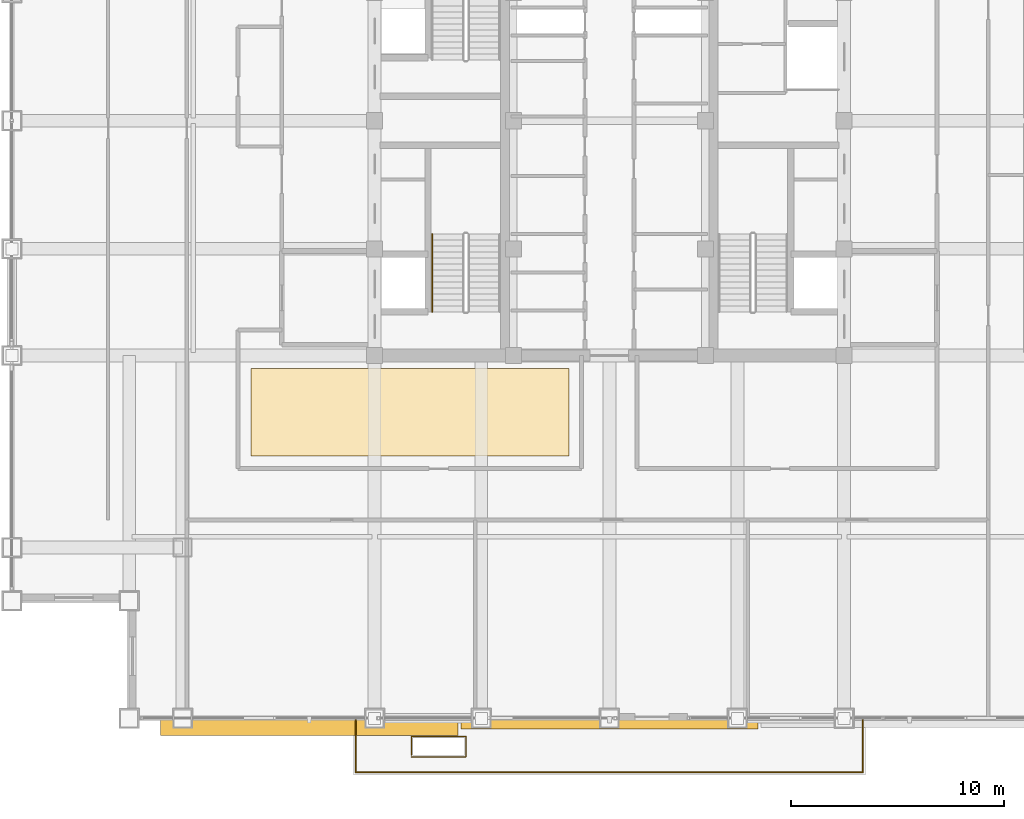
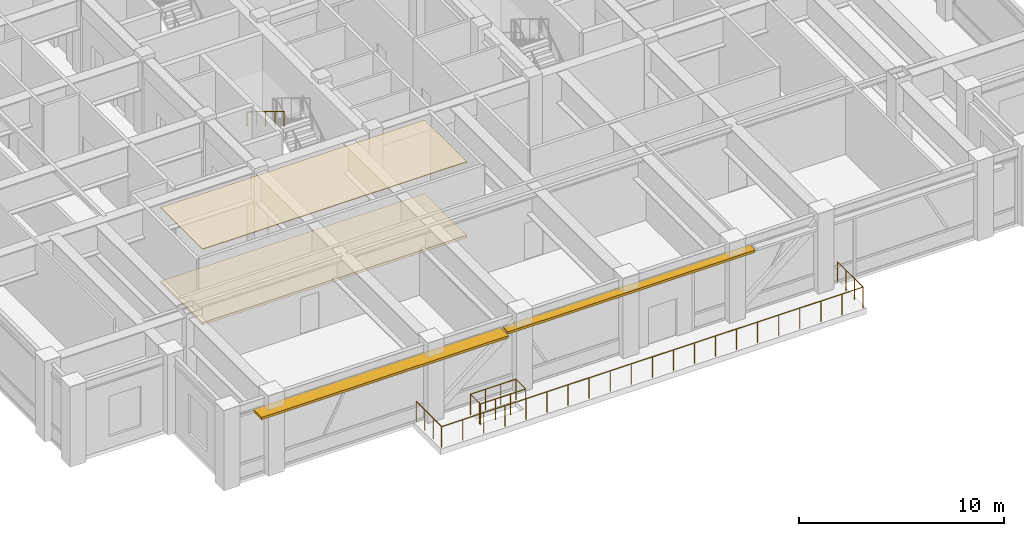
# One storey, part 27 of 31: 3 railings, 2 coverings, 2 shading devices.
"""IFC4 building model written with IfcOpenShell, lengths in metres."""

from ifc_helpers import new_model, si_unit, direction, frame, origin, origin_2d, place, context, subcontext, project, spatial, polyline, rectangle, circle, outline, extrude, source, transform, mapped, material, layer, layer_set, type_object, element, save


model = new_model("IFC4")

# Units and contexts
model_context = context("Model", 3, precision=1e-05, world=origin(), true_north=direction((0.0, 1.0)))
body_context = subcontext(model_context, "Body", "Model", "MODEL_VIEW")
ifc_project = project(units=[si_unit("LENGTHUNIT", "METRE"), si_unit("AREAUNIT", "SQUARE_METRE"), si_unit("VOLUMEUNIT", "CUBIC_METRE"), si_unit("PLANEANGLEUNIT", "RADIAN"), si_unit("MASSUNIT", "GRAM", prefix="KILO")], contexts=[model_context])

# Site, building, storey
site_placement = place(None, origin())
site = spatial("IfcSite", under=ifc_project, at=site_placement, CompositionType="ELEMENT")
building_placement = place(site_placement, origin())
building = spatial("IfcBuilding", under=site, at=building_placement, Name="Khorayat Bourse Tower", CompositionType="ELEMENT")
storey_placement = place(building_placement, frame((0.0, 0.0, 321.5)))
storey = spatial("IfcBuildingStorey", under=building, at=storey_placement, Name="L76", CompositionType="ELEMENT", Elevation=321.5)

# Coverings
ifc_material_1 = material(Name="Mineral fibre acoustic ceiling tile")
ifc_layer_1 = layer(ifc_material_1, 0.0400390625)
ifc_layer_set_1 = layer_set([ifc_layer_1], Name="Mineral fibre acoustic ceiling tile")
covering_type_1 = type_object("IfcCoveringType", Name="COV-CEIL-ACOUSTIC", PredefinedType="CEILING", material=ifc_layer_set_1)
covering_1_placement = place(storey_placement, frame((0.0, 0.0, 4.5)))
element("IfcCovering", 1, at=covering_1_placement, inside=storey, type_object=covering_type_1, Name="L76 Suspended Ceiling 2", PredefinedType="CEILING", context=body_context, shape_type="SweptSolid", body=[
    extrude(outline(polyline([(-16.800048828125, -15.699951171875), (-1.89990234375, -15.699951171875), (-1.89990234375, -11.60009765625), (-16.800048828125, -11.60009765625), (-16.800048828125, -15.699951171875)])), origin(), (0.0, 0.0, 1.0), 0.0400390625),
])
ifc_material_2 = material(Name="Steel-encapsulated raised access floor", Category="steel")
ifc_layer_2 = layer(ifc_material_2, 0.14990234375)
ifc_layer_set_2 = layer_set([ifc_layer_2], Name="Steel-encapsulated raised access floor")
covering_type_2 = type_object("IfcCoveringType", Name="COV-RAF-OFFICE", PredefinedType="FLOORING", material=ifc_layer_set_2)
covering_2_placement = place(storey_placement, origin())
element("IfcCovering", 2, at=covering_2_placement, inside=storey, type_object=covering_type_2, Name="L76 Raised Access Floor 2", PredefinedType="FLOORING", context=body_context, shape_type="SweptSolid", body=[
    extrude(outline(polyline([(-16.800048828125, -15.699951171875), (-1.89990234375, -15.699951171875), (-1.89990234375, -11.60009765625), (-16.800048828125, -11.60009765625), (-16.800048828125, -15.699951171875)])), origin(), (0.0, 0.0, 1.0), 0.14990234375),
])

# Railings
ifc_material_3 = material(Name="Laminated glass and bronze balustrade", Category="glass")
railing_type_1 = type_object("IfcRailingType", Name="RLG-TERR-1250", PredefinedType="GUARDRAIL", material=ifc_material_3)
shared_shape_1 = source(origin(), body_context, "Body", "SweptSolid", [
    extrude(circle(Radius=0.02392578125, at=origin_2d()), frame((0.0, 0.0, 1.22607421875), z_axis=(1.0, 0.0, 0.0), x_axis=(0.0, 1.0, 0.0)), (0.0, 0.0, 1.0), 2.56005859375),
    extrude(circle(Radius=0.02392578125, at=origin_2d()), frame((2.56005859375, 0.0, 1.22607421875), z_axis=(0.0, 1.0, 0.0), x_axis=(-1.0, 0.0, 0.0)), (0.0, 0.0, 1.0), 0.9599609375),
    extrude(circle(Radius=0.02392578125, at=origin_2d()), frame((2.56005859375, 0.9599609375, 1.22607421875), z_axis=(-1.0, 0.0, 0.0), x_axis=(0.0, -1.0, 0.0)), (0.0, 0.0, 1.0), 2.56005859375),
    extrude(circle(Radius=0.02392578125, at=origin_2d()), frame((0.0, 0.9599609375, 1.22607421875), z_axis=(0.0, -1.0, 0.0), x_axis=(1.0, 0.0, 0.0)), (0.0, 0.0, 1.0), 0.880126953125),
    extrude(circle(Radius=0.02099609375, at=origin_2d()), origin(), (0.0, 0.0, 1.0), 1.201904296875),
    extrude(circle(Radius=0.02099609375, at=origin_2d()), frame((0.853271484375, 0.0, 0.0)), (0.0, 0.0, 1.0), 1.201904296875),
    extrude(circle(Radius=0.02099609375, at=origin_2d()), frame((1.706787109375, 0.0, 0.0)), (0.0, 0.0, 1.0), 1.201904296875),
    extrude(circle(Radius=0.02099609375, at=origin_2d()), frame((2.56005859375, 0.0, 0.0)), (0.0, 0.0, 1.0), 1.201904296875),
    extrude(circle(Radius=0.02099609375, at=origin_2d()), frame((2.56005859375, 0.9599609375, 0.0)), (0.0, 0.0, 1.0), 1.201904296875),
    extrude(circle(Radius=0.02099609375, at=origin_2d()), frame((1.706787109375, 0.9599609375, 0.0)), (0.0, 0.0, 1.0), 1.201904296875),
    extrude(circle(Radius=0.02099609375, at=origin_2d()), frame((0.853271484375, 0.9599609375, 0.0)), (0.0, 0.0, 1.0), 1.201904296875),
    extrude(circle(Radius=0.02099609375, at=origin_2d()), frame((0.0, 0.9599609375, 0.0)), (0.0, 0.0, 1.0), 1.201904296875),
    extrude(circle(Radius=0.02099609375, at=origin_2d()), frame((0.0, 0.079833984375, 0.0)), (0.0, 0.0, 1.0), 1.201904296875),
])
railing_1_placement = place(storey_placement, frame((-9.280029296875, -29.804931640625, 0.0)))
element("IfcRailing", 3, at=railing_1_placement, inside=storey, type_object=railing_type_1, Name="L76 Terrace Tree-Pit Guardrail 02", PredefinedType="GUARDRAIL", context=body_context, shape_type="MappedRepresentation", body=[
    mapped(shared_shape_1, transform((0.0, 0.0, 0.0), scale=1.0)),
])
shared_shape_2 = source(origin(), body_context, "Body", "SweptSolid", [
    extrude(circle(Radius=0.02392578125, at=origin_2d()), frame((0.0, 0.0, 1.22607421875), z_axis=(0.0, -1.0, 0.0), x_axis=(1.0, 0.0, 0.0)), (0.0, 0.0, 1.0), 2.47998046875),
    extrude(circle(Radius=0.02392578125, at=origin_2d()), frame((0.0, -2.47998046875, 1.22607421875), z_axis=(1.0, 0.0, 0.0), x_axis=(0.0, 1.0, 0.0)), (0.0, 0.0, 1.0), 23.759765625),
    extrude(circle(Radius=0.02392578125, at=origin_2d()), frame((23.759765625, -2.47998046875, 1.22607421875), z_axis=(0.0, 1.0, 0.0), x_axis=(-1.0, 0.0, 0.0)), (0.0, 0.0, 1.0), 2.47998046875),
    extrude(circle(Radius=0.02099609375, at=origin_2d()), origin(), (0.0, 0.0, 1.0), 1.201904296875),
    extrude(circle(Radius=0.02099609375, at=origin_2d()), frame((0.0, -0.82666015625, 0.0)), (0.0, 0.0, 1.0), 1.201904296875),
    extrude(circle(Radius=0.02099609375, at=origin_2d()), frame((0.0, -1.6533203125, 0.0)), (0.0, 0.0, 1.0), 1.201904296875),
    extrude(circle(Radius=0.02099609375, at=origin_2d()), frame((0.0, -2.47998046875, 0.0)), (0.0, 0.0, 1.0), 1.201904296875),
    extrude(circle(Radius=0.02099609375, at=origin_2d()), frame((1.18798828125, -2.47998046875, 0.0)), (0.0, 0.0, 1.0), 1.201904296875),
    extrude(circle(Radius=0.02099609375, at=origin_2d()), frame((2.3759765625, -2.47998046875, 0.0)), (0.0, 0.0, 1.0), 1.201904296875),
    extrude(circle(Radius=0.02099609375, at=origin_2d()), frame((3.56396484375, -2.47998046875, 0.0)), (0.0, 0.0, 1.0), 1.201904296875),
    extrude(circle(Radius=0.02099609375, at=origin_2d()), frame((4.751953125, -2.47998046875, 0.0)), (0.0, 0.0, 1.0), 1.201904296875),
    extrude(circle(Radius=0.02099609375, at=origin_2d()), frame((5.93994140625, -2.47998046875, 0.0)), (0.0, 0.0, 1.0), 1.201904296875),
    extrude(circle(Radius=0.02099609375, at=origin_2d()), frame((7.1279296875, -2.47998046875, 0.0)), (0.0, 0.0, 1.0), 1.201904296875),
    extrude(circle(Radius=0.02099609375, at=origin_2d()), frame((8.31591796875, -2.47998046875, 0.0)), (0.0, 0.0, 1.0), 1.201904296875),
    extrude(circle(Radius=0.02099609375, at=origin_2d()), frame((9.50390625, -2.47998046875, 0.0)), (0.0, 0.0, 1.0), 1.201904296875),
    extrude(circle(Radius=0.02099609375, at=origin_2d()), frame((10.69189453125, -2.47998046875, 0.0)), (0.0, 0.0, 1.0), 1.201904296875),
    extrude(circle(Radius=0.02099609375, at=origin_2d()), frame((11.8798828125, -2.47998046875, 0.0)), (0.0, 0.0, 1.0), 1.201904296875),
    extrude(circle(Radius=0.02099609375, at=origin_2d()), frame((13.06787109375, -2.47998046875, 0.0)), (0.0, 0.0, 1.0), 1.201904296875),
    extrude(circle(Radius=0.02099609375, at=origin_2d()), frame((14.255859375, -2.47998046875, 0.0)), (0.0, 0.0, 1.0), 1.201904296875),
    extrude(circle(Radius=0.02099609375, at=origin_2d()), frame((15.44384765625, -2.47998046875, 0.0)), (0.0, 0.0, 1.0), 1.201904296875),
    extrude(circle(Radius=0.02099609375, at=origin_2d()), frame((16.6318359375, -2.47998046875, 0.0)), (0.0, 0.0, 1.0), 1.201904296875),
    extrude(circle(Radius=0.02099609375, at=origin_2d()), frame((17.81982421875, -2.47998046875, 0.0)), (0.0, 0.0, 1.0), 1.201904296875),
    extrude(circle(Radius=0.02099609375, at=origin_2d()), frame((19.0078125, -2.47998046875, 0.0)), (0.0, 0.0, 1.0), 1.201904296875),
    extrude(circle(Radius=0.02099609375, at=origin_2d()), frame((20.19580078125, -2.47998046875, 0.0)), (0.0, 0.0, 1.0), 1.201904296875),
    extrude(circle(Radius=0.02099609375, at=origin_2d()), frame((21.3837890625, -2.47998046875, 0.0)), (0.0, 0.0, 1.0), 1.201904296875),
    extrude(circle(Radius=0.02099609375, at=origin_2d()), frame((22.57177734375, -2.47998046875, 0.0)), (0.0, 0.0, 1.0), 1.201904296875),
    extrude(circle(Radius=0.02099609375, at=origin_2d()), frame((23.759765625, -2.47998046875, 0.0)), (0.0, 0.0, 1.0), 1.201904296875),
    extrude(circle(Radius=0.02099609375, at=origin_2d()), frame((23.759765625, -1.6533203125, 0.0)), (0.0, 0.0, 1.0), 1.201904296875),
    extrude(circle(Radius=0.02099609375, at=origin_2d()), frame((23.759765625, -0.82666015625, 0.0)), (0.0, 0.0, 1.0), 1.201904296875),
    extrude(circle(Radius=0.02099609375, at=origin_2d()), frame((23.759765625, 0.0, 0.0)), (0.0, 0.0, 1.0), 1.201904296875),
])
railing_2_placement = place(storey_placement, frame((-11.8798828125, -28.050048828125, 0.0)))
element("IfcRailing", 4, at=railing_2_placement, inside=storey, type_object=railing_type_1, Name="L76 South Sky Garden Guardrail", PredefinedType="GUARDRAIL", context=body_context, shape_type="MappedRepresentation", body=[
    mapped(shared_shape_2, transform((0.0, 0.0, 0.0), scale=1.0)),
])

# Shading devices
ifc_material_4 = material(Name="Precast concrete C45/55", Category="concrete")
ifc_layer_3 = layer(ifc_material_4, 0.139892578125)
ifc_layer_set_3 = layer_set([ifc_layer_3], Name="Precast concrete C45/55")
shading_device_type = type_object("IfcShadingDeviceType", Name="SHD-WAVE-TRAY-A", PredefinedType="USERDEFINED", material=ifc_layer_set_3)
shared_shape_3 = source(origin(), body_context, "Body", "SweptSolid", [
    extrude(rectangle(XDim=13.9267578125, YDim=0.8203125, at=origin_2d()), origin(), (0.0, 0.0, 1.0), 0.139892578125),
])
shading_device_1_placement = place(storey_placement, frame((-14.066650390625, -28.39013671875, 3.7900390625), z_axis=(0.0, 0.0, 1.0), x_axis=(1.0, 0.0, 0.0)))
element("IfcShadingDevice", 5, at=shading_device_1_placement, inside=storey, type_object=shading_device_type, Name="L76 Sinusoidal Wave Sunshade Tray S-1", ObjectType="SUNSHADE", PredefinedType="USERDEFINED", context=body_context, shape_type="MappedRepresentation", body=[
    mapped(shared_shape_3, transform((0.0, 0.0, 0.0), scale=1.0)),
])
shared_shape_4 = source(origin(), body_context, "Body", "SweptSolid", [
    extrude(rectangle(XDim=13.9267578125, YDim=0.530029296875, at=origin_2d()), origin(), (0.0, 0.0, 1.0), 0.139892578125),
])
shading_device_2_placement = place(storey_placement, frame((0.0, -28.2451171875, 3.7900390625), z_axis=(0.0, 0.0, 1.0), x_axis=(1.0, 0.0, 0.0)))
element("IfcShadingDevice", 6, at=shading_device_2_placement, inside=storey, type_object=shading_device_type, Name="L76 Sinusoidal Wave Sunshade Tray S-2", ObjectType="SUNSHADE", PredefinedType="USERDEFINED", context=body_context, shape_type="MappedRepresentation", body=[
    mapped(shared_shape_4, transform((0.0, 0.0, 0.0), scale=1.0)),
])

# Railing
ifc_material_5 = material(Name="Brushed bronze stainless-steel handrail", Category="steel")
railing_type_2 = type_object("IfcRailingType", Name="RLG-HAND-900", PredefinedType="HANDRAIL", material=ifc_material_5)
shared_shape_5 = source(origin(), body_context, "Body", "SweptSolid", [
    extrude(circle(Radius=0.02392578125, at=origin_2d()), frame((0.0, 0.0, 0.8759765625), z_axis=(0.0, -0.852850264322, 0.5221555579), x_axis=(1.0, 0.0, 0.0)), (0.0, 0.0, 1.0), 4.267822265625),
    extrude(circle(Radius=0.02099609375, at=origin_2d()), origin(), (0.0, 0.0, 1.0), 0.851806640625),
    extrude(circle(Radius=0.02099609375, at=origin_2d()), frame((0.0, -0.909912109375, 0.55712890625)), (0.0, 0.0, 1.0), 0.851806640625),
    extrude(circle(Radius=0.02099609375, at=origin_2d()), frame((0.0, -1.81982421875, 1.1142578125)), (0.0, 0.0, 1.0), 0.851806640625),
    extrude(circle(Radius=0.02099609375, at=origin_2d()), frame((0.0, -2.72998046875, 1.67138671875)), (0.0, 0.0, 1.0), 0.851806640625),
    extrude(circle(Radius=0.02099609375, at=origin_2d()), frame((0.0, -3.639892578125, 2.228515625)), (0.0, 0.0, 1.0), 0.851806640625),
])
railing_3_placement = place(storey_placement, frame((-8.300048828125, -5.31005859375, 2.571533203125)))
element("IfcRailing", 7, at=railing_3_placement, inside=storey, type_object=railing_type_2, Name="L76 ST-1 stair handrail 2", PredefinedType="HANDRAIL", context=body_context, shape_type="MappedRepresentation", body=[
    mapped(shared_shape_5, transform((0.0, 0.0, 0.0), scale=1.0)),
])

save(model, "model.ifc")
